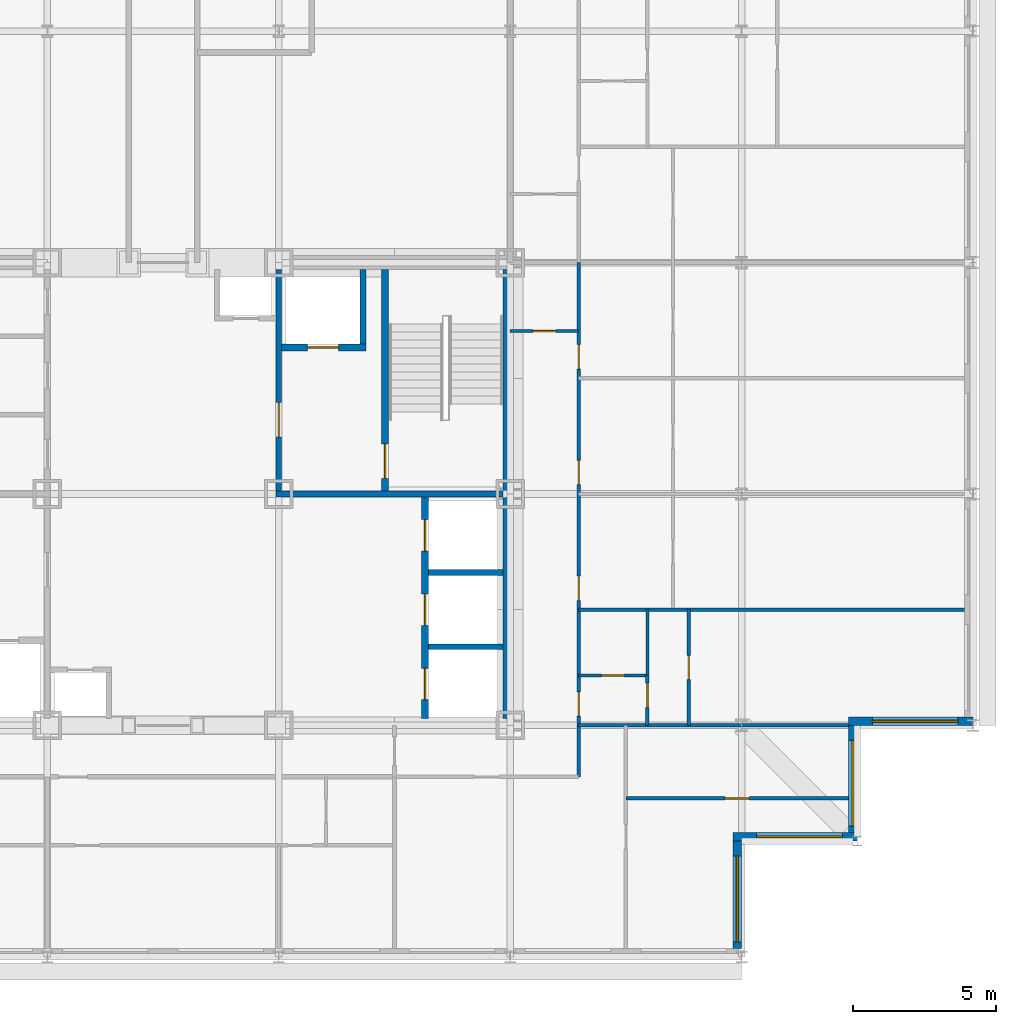
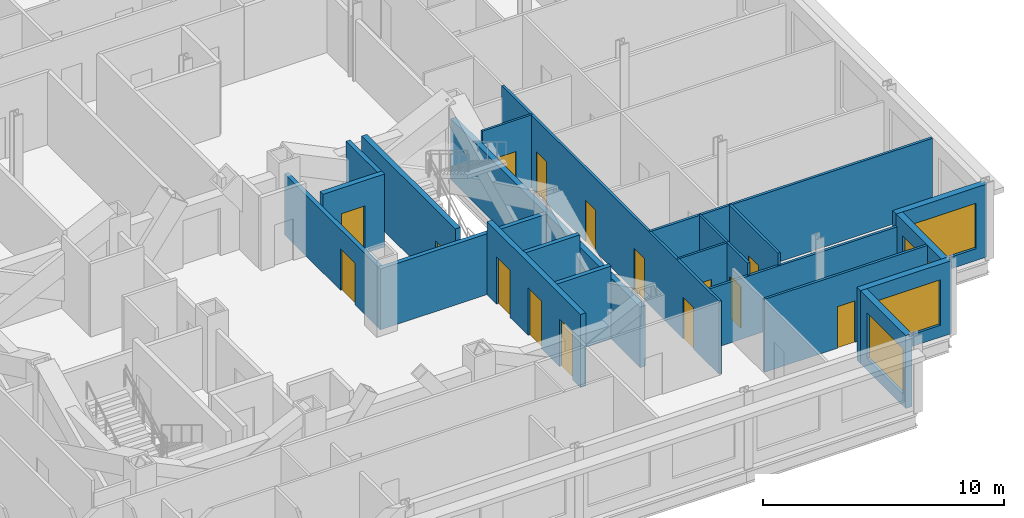
# One storey, part 10 of 15: 22 walls, 15 doors, 4 windows, 19 openings.
"""IFC4 building model written with IfcOpenShell, lengths in metres."""

from ifc_helpers import new_model, si_unit, direction, frame, frame_2d, origin, place, context, subcontext, project, spatial, rectangle, extrude, material, layer, layer_set, type_object, element, fill, save


model = new_model("IFC4")

# Units and contexts
model_context = context("Model", 3, precision=1e-05, world=origin(), true_north=direction((0.0, 1.0)))
body_context = subcontext(model_context, "Body", "Model", "MODEL_VIEW")
ifc_project = project(units=[si_unit("LENGTHUNIT", "METRE"), si_unit("AREAUNIT", "SQUARE_METRE"), si_unit("VOLUMEUNIT", "CUBIC_METRE"), si_unit("PLANEANGLEUNIT", "RADIAN"), si_unit("MASSUNIT", "GRAM", prefix="KILO")], contexts=[model_context])

# Site, building, storey
site_placement = place(None, origin())
site = spatial("IfcSite", under=ifc_project, at=site_placement, CompositionType="ELEMENT")
building_placement = place(site_placement, origin())
building = spatial("IfcBuilding", under=site, at=building_placement, Name="Kopane Lantern Tower", CompositionType="ELEMENT")
storey_placement = place(building_placement, frame((0.0, 0.0, 277.5)))
storey = spatial("IfcBuildingStorey", under=building, at=storey_placement, Name="L71", CompositionType="ELEMENT", Elevation=277.5)

# Wall, openings, doors
ifc_material_1 = material(Name="Gypsum board on steel studs", Category="steel")
ifc_layer_1 = layer(ifc_material_1, 0.1201171875)
ifc_layer_set_1 = layer_set([ifc_layer_1], Name="APARTMENT INTERNAL WALL 120")
wall_type_1 = type_object("IfcWallType", Name="APARTMENT INTERNAL WALL 120", PredefinedType="PARTITIONING", material=ifc_layer_set_1)
wall_1_placement = place(storey_placement, frame((42.89990234375, 22.5, 0.0), z_axis=(0.0, 0.0, 1.0), x_axis=(0.0, 1.0, 0.0)))
wall_1 = element("IfcWall", 1, at=wall_1_placement, inside=storey, type_object=wall_type_1, Name="Apartment Internal Wall 120 L71", PredefinedType="PARTITIONING", context=body_context, shape_type="SweptSolid", body=[
    extrude(rectangle(XDim=18.0, YDim=0.1201171875, at=frame_2d((9.0, 0.0))), origin(), (0.0, 0.0, 1.0), 3.68994140625),
])
opening_1_placement = place(wall_1_placement, frame((2.125, 0.0, 0.0)))
opening_1 = element("IfcOpeningElement", 2, at=opening_1_placement, cuts=wall_1, Name="Opening L71-050", PredefinedType="OPENING", context=body_context, shape_type="SweptSolid", body=[
    extrude(rectangle(XDim=0.85009765625, YDim=2.10009765625, at=frame_2d((0.425048828125, 1.050048828125))), frame((0.0, 0.070068359375, 0.0), z_axis=(0.0, -1.0, 0.0), x_axis=(1.0, 0.0, 0.0)), (0.0, 0.0, 1.0), 0.14013671875),
])
opening_2_placement = place(wall_1_placement, frame((6.175048828125, 0.0, 0.0)))
opening_2 = element("IfcOpeningElement", 3, at=opening_2_placement, cuts=wall_1, Name="Opening L71-051", PredefinedType="OPENING", context=body_context, shape_type="SweptSolid", body=[
    extrude(rectangle(XDim=0.85009765625, YDim=2.10009765625, at=frame_2d((0.425048828125, 1.050048828125))), frame((0.0, 0.070068359375, 0.0), z_axis=(0.0, -1.0, 0.0), x_axis=(1.0, 0.0, 0.0)), (0.0, 0.0, 1.0), 0.14013671875),
])
opening_3_placement = place(wall_1_placement, frame((10.22509765625, 0.0, 0.0)))
opening_3 = element("IfcOpeningElement", 4, at=opening_3_placement, cuts=wall_1, Name="Opening L71-052", PredefinedType="OPENING", context=body_context, shape_type="SweptSolid", body=[
    extrude(rectangle(XDim=0.85009765625, YDim=2.10009765625, at=frame_2d((0.425048828125, 1.050048828125))), frame((0.0, 0.070068359375, 0.0), z_axis=(0.0, -1.0, 0.0), x_axis=(1.0, 0.0, 0.0)), (0.0, 0.0, 1.0), 0.14013671875),
])
opening_4_placement = place(wall_1_placement, frame((14.27490234375, 0.0, 0.0)))
opening_4 = element("IfcOpeningElement", 5, at=opening_4_placement, cuts=wall_1, Name="Opening L71-053", PredefinedType="OPENING", context=body_context, shape_type="SweptSolid", body=[
    extrude(rectangle(XDim=0.85009765625, YDim=2.10009765625, at=frame_2d((0.425048828125, 1.050048828125))), frame((0.0, 0.070068359375, 0.0), z_axis=(0.0, -1.0, 0.0), x_axis=(1.0, 0.0, 0.0)), (0.0, 0.0, 1.0), 0.14013671875),
])
ifc_material_2 = material(Name="Timber door set", Category="wood")
door_type_1 = type_object("IfcDoorType", Name="DOOR D4 850x2100", OperationType="SINGLE_SWING_LEFT", PredefinedType="DOOR", material=ifc_material_2)
door_1_placement = place(opening_1_placement, origin())
door_1 = element("IfcDoor", 6, at=door_1_placement, inside=storey, type_object=door_type_1, Name="Door L71-050", OperationType="SINGLE_SWING_RIGHT", OverallHeight=2.10009765625, OverallWidth=0.85009765625, PredefinedType="DOOR", context=body_context, shape_type="SweptSolid", body=[
    extrude(rectangle(XDim=0.85009765625, YDim=2.10009765625, at=frame_2d((0.425048828125, 1.050048828125))), frame((0.0, 0.02490234375, 0.0), z_axis=(0.0, -1.0, 0.0), x_axis=(1.0, 0.0, 0.0)), (0.0, 0.0, 1.0), 0.050048828125),
])
fill(opening_1, door_1)
door_2_placement = place(opening_2_placement, origin())
door_2 = element("IfcDoor", 7, at=door_2_placement, inside=storey, type_object=door_type_1, Name="Door L71-051", OperationType="SINGLE_SWING_RIGHT", OverallHeight=2.10009765625, OverallWidth=0.85009765625, PredefinedType="DOOR", context=body_context, shape_type="SweptSolid", body=[
    extrude(rectangle(XDim=0.85009765625, YDim=2.10009765625, at=frame_2d((0.425048828125, 1.050048828125))), frame((0.0, 0.02490234375, 0.0), z_axis=(0.0, -1.0, 0.0), x_axis=(1.0, 0.0, 0.0)), (0.0, 0.0, 1.0), 0.050048828125),
])
fill(opening_2, door_2)
door_3_placement = place(opening_3_placement, origin())
door_3 = element("IfcDoor", 8, at=door_3_placement, inside=storey, type_object=door_type_1, Name="Door L71-052", OperationType="SINGLE_SWING_RIGHT", OverallHeight=2.10009765625, OverallWidth=0.85009765625, PredefinedType="DOOR", context=body_context, shape_type="SweptSolid", body=[
    extrude(rectangle(XDim=0.85009765625, YDim=2.10009765625, at=frame_2d((0.425048828125, 1.050048828125))), frame((0.0, 0.02490234375, 0.0), z_axis=(0.0, -1.0, 0.0), x_axis=(1.0, 0.0, 0.0)), (0.0, 0.0, 1.0), 0.050048828125),
])
fill(opening_3, door_3)
door_4_placement = place(opening_4_placement, origin())
door_4 = element("IfcDoor", 9, at=door_4_placement, inside=storey, type_object=door_type_1, Name="Door L71-053", OperationType="SINGLE_SWING_RIGHT", OverallHeight=2.10009765625, OverallWidth=0.85009765625, PredefinedType="DOOR", context=body_context, shape_type="SweptSolid", body=[
    extrude(rectangle(XDim=0.85009765625, YDim=2.10009765625, at=frame_2d((0.425048828125, 1.050048828125))), frame((0.0, 0.02490234375, 0.0), z_axis=(0.0, -1.0, 0.0), x_axis=(1.0, 0.0, 0.0)), (0.0, 0.0, 1.0), 0.050048828125),
])
fill(opening_4, door_4)

# Walls
wall_2_placement = place(storey_placement, frame((42.89990234375, 24.300048828125, 0.0), z_axis=(0.0, 0.0, 1.0), x_axis=(1.0, 0.0, 0.0)))
element("IfcWall", 10, at=wall_2_placement, inside=storey, type_object=wall_type_1, Name="Apartment Internal Wall 120 L71", PredefinedType="PARTITIONING", context=body_context, shape_type="SweptSolid", body=[
    extrude(rectangle(XDim=9.4501953125, YDim=0.1201171875, at=frame_2d((4.72509765625, 0.0))), origin(), (0.0, 0.0, 1.0), 3.077880859375),
])
wall_3_placement = place(storey_placement, frame((42.89990234375, 28.35009765625, 0.0), z_axis=(0.0, 0.0, 1.0), x_axis=(1.0, 0.0, 0.0)))
element("IfcWall", 11, at=wall_3_placement, inside=storey, type_object=wall_type_1, Name="Apartment Internal Wall 120 L71", PredefinedType="PARTITIONING", context=body_context, shape_type="SweptSolid", body=[
    extrude(rectangle(XDim=13.5, YDim=0.1201171875, at=frame_2d((6.75, 0.0))), origin(), (0.0, 0.0, 1.0), 3.68994140625),
])

# Wall, opening, door
wall_4_placement = place(storey_placement, frame((45.300048828125, 24.300048828125, 0.0), z_axis=(0.0, 0.0, 1.0), x_axis=(0.0, 1.0, 0.0)))
wall_4 = element("IfcWall", 12, at=wall_4_placement, inside=storey, type_object=wall_type_1, Name="Apartment Internal Wall 120 L71", PredefinedType="PARTITIONING", context=body_context, shape_type="SweptSolid", body=[
    extrude(rectangle(XDim=1.760009765625, YDim=0.1201171875, at=frame_2d((0.8798828125, 0.0))), origin(), (0.0, 0.0, 1.0), 3.68994140625),
])
opening_5_placement = place(wall_4_placement, frame((0.635009765625, 0.0, 0.0)))
opening_5 = element("IfcOpeningElement", 13, at=opening_5_placement, cuts=wall_4, Name="Opening L71-064", PredefinedType="OPENING", context=body_context, shape_type="SweptSolid", body=[
    extrude(rectangle(XDim=0.85009765625, YDim=2.10009765625, at=frame_2d((0.425048828125, 1.050048828125))), frame((0.0, 0.070068359375, 0.0), z_axis=(0.0, -1.0, 0.0), x_axis=(1.0, 0.0, 0.0)), (0.0, 0.0, 1.0), 0.14013671875),
])
door_5_placement = place(opening_5_placement, origin())
door_5 = element("IfcDoor", 14, at=door_5_placement, inside=storey, type_object=door_type_1, Name="Door L71-064", OperationType="SINGLE_SWING_RIGHT", OverallHeight=2.10009765625, OverallWidth=0.85009765625, PredefinedType="DOOR", context=body_context, shape_type="SweptSolid", body=[
    extrude(rectangle(XDim=0.85009765625, YDim=2.10009765625, at=frame_2d((0.425048828125, 1.050048828125))), frame((0.0, 0.02490234375, 0.0), z_axis=(0.0, -1.0, 0.0), x_axis=(1.0, 0.0, 0.0)), (0.0, 0.0, 1.0), 0.050048828125),
])
fill(opening_5, door_5)

wall_5_placement = place(storey_placement, frame((44.550048828125, 21.75, 0.0), z_axis=(0.0, 0.0, 1.0), x_axis=(1.0, 0.0, 0.0)))
wall_5 = element("IfcWall", 15, at=wall_5_placement, inside=storey, type_object=wall_type_1, Name="Apartment Internal Wall 120 L71", PredefinedType="PARTITIONING", context=body_context, shape_type="SweptSolid", body=[
    extrude(rectangle(XDim=7.800048828125, YDim=0.1201171875, at=frame_2d((3.89990234375, 0.0))), origin(), (0.0, 0.0, 1.0), 3.68994140625),
])
opening_6_placement = place(wall_5_placement, frame((3.47509765625, 0.0, 0.0)))
opening_6 = element("IfcOpeningElement", 16, at=opening_6_placement, cuts=wall_5, Name="Opening L71-067", PredefinedType="OPENING", context=body_context, shape_type="SweptSolid", body=[
    extrude(rectangle(XDim=0.85009765625, YDim=2.10009765625, at=frame_2d((0.425048828125, 1.050048828125))), frame((0.0, 0.070068359375, 0.0), z_axis=(0.0, -1.0, 0.0), x_axis=(1.0, 0.0, 0.0)), (0.0, 0.0, 1.0), 0.14013671875),
])
door_6_placement = place(opening_6_placement, origin())
door_6 = element("IfcDoor", 17, at=door_6_placement, inside=storey, type_object=door_type_1, Name="Door L71-067", OperationType="SINGLE_SWING_LEFT", OverallHeight=2.10009765625, OverallWidth=0.85009765625, PredefinedType="DOOR", context=body_context, shape_type="SweptSolid", body=[
    extrude(rectangle(XDim=0.85009765625, YDim=2.10009765625, at=frame_2d((0.425048828125, 1.050048828125))), frame((0.0, 0.02490234375, 0.0), z_axis=(0.0, -1.0, 0.0), x_axis=(1.0, 0.0, 0.0)), (0.0, 0.0, 1.0), 0.050048828125),
])
fill(opening_6, door_6)

wall_6_placement = place(storey_placement, frame((46.75, 24.300048828125, 0.0), z_axis=(0.0, 0.0, 1.0), x_axis=(0.0, 1.0, 0.0)))
wall_6 = element("IfcWall", 18, at=wall_6_placement, inside=storey, type_object=wall_type_1, Name="Apartment Internal Wall 120 L71", PredefinedType="PARTITIONING", context=body_context, shape_type="SweptSolid", body=[
    extrude(rectangle(XDim=4.050048828125, YDim=0.1201171875, at=frame_2d((2.02490234375, 0.0))), origin(), (0.0, 0.0, 1.0), 3.68994140625),
])
opening_7_placement = place(wall_6_placement, frame((1.60009765625, 0.0, 0.0)))
opening_7 = element("IfcOpeningElement", 19, at=opening_7_placement, cuts=wall_6, Name="Opening L71-068", PredefinedType="OPENING", context=body_context, shape_type="SweptSolid", body=[
    extrude(rectangle(XDim=0.85009765625, YDim=2.10009765625, at=frame_2d((0.425048828125, 1.050048828125))), frame((0.0, 0.070068359375, 0.0), z_axis=(0.0, -1.0, 0.0), x_axis=(1.0, 0.0, 0.0)), (0.0, 0.0, 1.0), 0.14013671875),
])
door_7_placement = place(opening_7_placement, origin())
door_7 = element("IfcDoor", 20, at=door_7_placement, inside=storey, type_object=door_type_1, Name="Door L71-068", OperationType="SINGLE_SWING_LEFT", OverallHeight=2.10009765625, OverallWidth=0.85009765625, PredefinedType="DOOR", context=body_context, shape_type="SweptSolid", body=[
    extrude(rectangle(XDim=0.85009765625, YDim=2.10009765625, at=frame_2d((0.425048828125, 1.050048828125))), frame((0.0, 0.02490234375, 0.0), z_axis=(0.0, -1.0, 0.0), x_axis=(1.0, 0.0, 0.0)), (0.0, 0.0, 1.0), 0.050048828125),
])
fill(opening_7, door_7)

ifc_material_3 = material(Name="Moisture-resistant board on steel studs", Category="steel")
ifc_layer_2 = layer(ifc_material_3, 0.10009765625)
ifc_layer_set_2 = layer_set([ifc_layer_2], Name="BATHROOM WALL 100")
wall_type_2 = type_object("IfcWallType", Name="BATHROOM WALL 100", PredefinedType="PARTITIONING", material=ifc_layer_set_2)
wall_7_placement = place(storey_placement, frame((40.5, 38.10009765625, 0.0), z_axis=(0.0, 0.0, 1.0), x_axis=(1.0, 0.0, 0.0)))
wall_7 = element("IfcWall", 21, at=wall_7_placement, inside=storey, type_object=wall_type_2, Name="Bathroom Wall 100 L71", PredefinedType="PARTITIONING", context=body_context, shape_type="SweptSolid", body=[
    extrude(rectangle(XDim=2.39990234375, YDim=0.10009765625, at=frame_2d((1.199951171875, 0.0))), origin(), (0.0, 0.0, 1.0), 3.68994140625),
])
opening_8_placement = place(wall_7_placement, frame((0.800048828125, 0.0, 0.0)))
opening_8 = element("IfcOpeningElement", 22, at=opening_8_placement, cuts=wall_7, Name="Opening L71-046", PredefinedType="OPENING", context=body_context, shape_type="SweptSolid", body=[
    extrude(rectangle(XDim=0.800048828125, YDim=2.10009765625, at=frame_2d((0.39990234375, 1.050048828125))), frame((0.0, 0.06005859375, 0.0), z_axis=(0.0, -1.0, 0.0), x_axis=(1.0, 0.0, 0.0)), (0.0, 0.0, 1.0), 0.1201171875),
])
ifc_material_4 = material(Name="Timber door set", Category="wood")
door_type_2 = type_object("IfcDoorType", Name="DOOR D2 800x2100", OperationType="SINGLE_SWING_LEFT", PredefinedType="DOOR", material=ifc_material_4)
door_8_placement = place(opening_8_placement, origin())
door_8 = element("IfcDoor", 23, at=door_8_placement, inside=storey, type_object=door_type_2, Name="Door L71-046", OperationType="SINGLE_SWING_LEFT", OverallHeight=2.10009765625, OverallWidth=0.800048828125, PredefinedType="DOOR", context=body_context, shape_type="SweptSolid", body=[
    extrude(rectangle(XDim=0.800048828125, YDim=2.10009765625, at=frame_2d((0.39990234375, 1.050048828125))), frame((0.0, 0.02490234375, 0.0), z_axis=(0.0, -1.0, 0.0), x_axis=(1.0, 0.0, 0.0)), (0.0, 0.0, 1.0), 0.050048828125),
])
fill(opening_8, door_8)

wall_8_placement = place(storey_placement, frame((42.89990234375, 26.050048828125, 0.0), z_axis=(0.0, 0.0, 1.0), x_axis=(1.0, 0.0, 0.0)))
wall_8 = element("IfcWall", 24, at=wall_8_placement, inside=storey, type_object=wall_type_2, Name="Bathroom Wall 100 L71", PredefinedType="PARTITIONING", context=body_context, shape_type="SweptSolid", body=[
    extrude(rectangle(XDim=2.400146484375, YDim=0.10009765625, at=frame_2d((1.2001953125, 0.0))), origin(), (0.0, 0.0, 1.0), 3.68994140625),
])
opening_9_placement = place(wall_8_placement, frame((0.800048828125, 0.0, 0.0)))
opening_9 = element("IfcOpeningElement", 25, at=opening_9_placement, cuts=wall_8, Name="Opening L71-049", PredefinedType="OPENING", context=body_context, shape_type="SweptSolid", body=[
    extrude(rectangle(XDim=0.800048828125, YDim=2.10009765625, at=frame_2d((0.39990234375, 1.050048828125))), frame((0.0, 0.06005859375, 0.0), z_axis=(0.0, -1.0, 0.0), x_axis=(1.0, 0.0, 0.0)), (0.0, 0.0, 1.0), 0.1201171875),
])
door_9_placement = place(opening_9_placement, origin())
door_9 = element("IfcDoor", 26, at=door_9_placement, inside=storey, type_object=door_type_2, Name="Door L71-049", OperationType="SINGLE_SWING_LEFT", OverallHeight=2.10009765625, OverallWidth=0.800048828125, PredefinedType="DOOR", context=body_context, shape_type="SweptSolid", body=[
    extrude(rectangle(XDim=0.800048828125, YDim=2.10009765625, at=frame_2d((0.39990234375, 1.050048828125))), frame((0.0, 0.02490234375, 0.0), z_axis=(0.0, -1.0, 0.0), x_axis=(1.0, 0.0, 0.0)), (0.0, 0.0, 1.0), 0.050048828125),
])
fill(opening_9, door_9)

# Walls
wall_9_placement = place(storey_placement, frame((45.300048828125, 26.050048828125, 0.0), z_axis=(0.0, 0.0, 1.0), x_axis=(0.0, 1.0, 0.0)))
element("IfcWall", 27, at=wall_9_placement, inside=storey, type_object=wall_type_2, Name="Bathroom Wall 100 L71", PredefinedType="PARTITIONING", context=body_context, shape_type="SweptSolid", body=[
    extrude(rectangle(XDim=2.300048828125, YDim=0.10009765625, at=frame_2d((1.14990234375, 0.0))), origin(), (0.0, 0.0, 1.0), 3.68994140625),
])
ifc_material_5 = material(Name="Gypsum shaft wall EI 120", Category="gypsum")
ifc_layer_3 = layer(ifc_material_5, 0.25)
ifc_layer_set_3 = layer_set([ifc_layer_3], Name="CORE SHAFT WALL 250 EI 120")
wall_type_3 = type_object("IfcWallType", Name="CORE SHAFT WALL 250 EI 120", PredefinedType="SOLIDWALL", material=ifc_layer_set_3)
wall_10_placement = place(storey_placement, frame((40.375, 24.550048828125, 0.0), z_axis=(0.0, 0.0, 1.0), x_axis=(0.0, 1.0, 0.0)))
element("IfcWall", 28, at=wall_10_placement, inside=storey, type_object=wall_type_3, Name="Core shaft wall L71 PE", PredefinedType="SOLIDWALL", context=body_context, shape_type="SweptSolid", body=[
    extrude(rectangle(XDim=15.699951171875, YDim=0.25, at=frame_2d((7.85009765625, 0.0))), origin(), (0.0, 0.0, 1.0), 3.077880859375),
])

# Wall, openings, doors
wall_11_placement = place(storey_placement, frame((37.52490234375, 24.550048828125, 0.0), z_axis=(0.0, 0.0, 1.0), x_axis=(0.0, 1.0, 0.0)))
wall_11 = element("IfcWall", 29, at=wall_11_placement, inside=storey, type_object=wall_type_3, Name="Core shaft wall L71 XLR", PredefinedType="SOLIDWALL", context=body_context, shape_type="SweptSolid", body=[
    extrude(rectangle(XDim=7.75, YDim=0.25, at=frame_2d((3.875, 0.0))), origin(), (0.0, 0.0, 1.0), 3.68994140625),
])
opening_10_placement = place(wall_11_placement, frame((0.64990234375, 0.0, 0.0)))
opening_10 = element("IfcOpeningElement", 30, at=opening_10_placement, cuts=wall_11, Name="Opening 71.LD-LR1", PredefinedType="OPENING", context=body_context, shape_type="SweptSolid", body=[
    extrude(rectangle(XDim=1.10009765625, YDim=2.39990234375, at=frame_2d((0.550048828125, 1.199951171875))), frame((0.0, 0.135009765625, 0.0), z_axis=(0.0, -1.0, 0.0), x_axis=(1.0, 0.0, 0.0)), (0.0, 0.0, 1.0), 0.27001953125),
])
opening_11_placement = place(wall_11_placement, frame((3.25, 0.0, 0.0)))
opening_11 = element("IfcOpeningElement", 31, at=opening_11_placement, cuts=wall_11, Name="Opening 71.LD-LR2", PredefinedType="OPENING", context=body_context, shape_type="SweptSolid", body=[
    extrude(rectangle(XDim=1.10009765625, YDim=2.39990234375, at=frame_2d((0.550048828125, 1.199951171875))), frame((0.0, 0.135009765625, 0.0), z_axis=(0.0, -1.0, 0.0), x_axis=(1.0, 0.0, 0.0)), (0.0, 0.0, 1.0), 0.27001953125),
])
opening_12_placement = place(wall_11_placement, frame((5.85009765625, 0.0, 0.0)))
opening_12 = element("IfcOpeningElement", 32, at=opening_12_placement, cuts=wall_11, Name="Opening 71.LD-LR3", PredefinedType="OPENING", context=body_context, shape_type="SweptSolid", body=[
    extrude(rectangle(XDim=1.10009765625, YDim=2.39990234375, at=frame_2d((0.550048828125, 1.199951171875))), frame((0.0, 0.135009765625, 0.0), z_axis=(0.0, -1.0, 0.0), x_axis=(1.0, 0.0, 0.0)), (0.0, 0.0, 1.0), 0.27001953125),
])
ifc_material_6 = material(Name="Steel door set", Category="steel")
door_type_3 = type_object("IfcDoorType", Name="LIFT LANDING DOOR 1100x2400 FD60", OperationType="DOUBLE_DOOR_SLIDING", PredefinedType="DOOR", material=ifc_material_6)
door_10_placement = place(opening_10_placement, origin())
door_10 = element("IfcDoor", 33, at=door_10_placement, inside=storey, type_object=door_type_3, Name="Landing door LR1 L71", OperationType="DOUBLE_DOOR_SLIDING", OverallHeight=2.39990234375, OverallWidth=1.10009765625, PredefinedType="DOOR", context=body_context, shape_type="SweptSolid", body=[
    extrude(rectangle(XDim=1.10009765625, YDim=2.39990234375, at=frame_2d((0.550048828125, 1.199951171875))), frame((0.0, 0.02490234375, 0.0), z_axis=(0.0, -1.0, 0.0), x_axis=(1.0, 0.0, 0.0)), (0.0, 0.0, 1.0), 0.050048828125),
])
fill(opening_10, door_10)
door_11_placement = place(opening_11_placement, origin())
door_11 = element("IfcDoor", 34, at=door_11_placement, inside=storey, type_object=door_type_3, Name="Landing door LR2 L71", OperationType="DOUBLE_DOOR_SLIDING", OverallHeight=2.39990234375, OverallWidth=1.10009765625, PredefinedType="DOOR", context=body_context, shape_type="SweptSolid", body=[
    extrude(rectangle(XDim=1.10009765625, YDim=2.39990234375, at=frame_2d((0.550048828125, 1.199951171875))), frame((0.0, 0.02490234375, 0.0), z_axis=(0.0, -1.0, 0.0), x_axis=(1.0, 0.0, 0.0)), (0.0, 0.0, 1.0), 0.050048828125),
])
fill(opening_11, door_11)
door_12_placement = place(opening_12_placement, origin())
door_12 = element("IfcDoor", 35, at=door_12_placement, inside=storey, type_object=door_type_3, Name="Landing door LR3 L71", OperationType="DOUBLE_DOOR_SLIDING", OverallHeight=2.39990234375, OverallWidth=1.10009765625, PredefinedType="DOOR", context=body_context, shape_type="SweptSolid", body=[
    extrude(rectangle(XDim=1.10009765625, YDim=2.39990234375, at=frame_2d((0.550048828125, 1.199951171875))), frame((0.0, 0.02490234375, 0.0), z_axis=(0.0, -1.0, 0.0), x_axis=(1.0, 0.0, 0.0)), (0.0, 0.0, 1.0), 0.050048828125),
])
fill(opening_12, door_12)

# Wall, opening, door
wall_12_placement = place(storey_placement, frame((36.125, 32.5, 0.0), z_axis=(0.0, 0.0, 1.0), x_axis=(0.0, 1.0, 0.0)))
wall_12 = element("IfcWall", 36, at=wall_12_placement, inside=storey, type_object=wall_type_3, Name="Core shaft wall L71 XST2", PredefinedType="SOLIDWALL", context=body_context, shape_type="SweptSolid", body=[
    extrude(rectangle(XDim=7.75, YDim=0.25, at=frame_2d((3.875, 0.0))), origin(), (0.0, 0.0, 1.0), 3.68994140625),
])
opening_13_placement = place(wall_12_placement, frame((0.449951171875, 0.0, 0.0)))
opening_13 = element("IfcOpeningElement", 37, at=opening_13_placement, cuts=wall_12, Name="Opening 71.SD2", PredefinedType="OPENING", context=body_context, shape_type="SweptSolid", body=[
    extrude(rectangle(XDim=1.199951171875, YDim=2.10009765625, at=frame_2d((0.60009765625, 1.050048828125))), frame((0.0, 0.135009765625, 0.0), z_axis=(0.0, -1.0, 0.0), x_axis=(1.0, 0.0, 0.0)), (0.0, 0.0, 1.0), 0.27001953125),
])
ifc_material_7 = material(Name="Steel door set", Category="steel")
door_type_4 = type_object("IfcDoorType", Name="STAIR DOOR 1200x2100 FD60S", OperationType="SINGLE_SWING_LEFT", PredefinedType="DOOR", material=ifc_material_7)
door_13_placement = place(opening_13_placement, origin())
door_13 = element("IfcDoor", 38, at=door_13_placement, inside=storey, type_object=door_type_4, Name="Stair door ST2 L71", OperationType="SINGLE_SWING_RIGHT", OverallHeight=2.10009765625, OverallWidth=1.199951171875, PredefinedType="DOOR", context=body_context, shape_type="SweptSolid", body=[
    extrude(rectangle(XDim=1.199951171875, YDim=2.10009765625, at=frame_2d((0.60009765625, 1.050048828125))), frame((0.0, 0.02490234375, 0.0), z_axis=(0.0, -1.0, 0.0), x_axis=(1.0, 0.0, 0.0)), (0.0, 0.0, 1.0), 0.050048828125),
])
fill(opening_13, door_13)

wall_13_placement = place(storey_placement, frame((32.5, 37.52490234375, 0.0), z_axis=(0.0, 0.0, 1.0), x_axis=(1.0, 0.0, 0.0)))
wall_13 = element("IfcWall", 39, at=wall_13_placement, inside=storey, type_object=wall_type_3, Name="Core shaft wall L71 YLF2", PredefinedType="SOLIDWALL", context=body_context, shape_type="SweptSolid", body=[
    extrude(rectangle(XDim=2.949951171875, YDim=0.25, at=frame_2d((1.47509765625, 0.0))), origin(), (0.0, 0.0, 1.0), 3.68994140625),
])
opening_14_placement = place(wall_13_placement, frame((0.89990234375, 0.0, 0.0)))
opening_14 = element("IfcOpeningElement", 40, at=opening_14_placement, cuts=wall_13, Name="Opening 71.LD-LF2", PredefinedType="OPENING", context=body_context, shape_type="SweptSolid", body=[
    extrude(rectangle(XDim=1.10009765625, YDim=2.39990234375, at=frame_2d((0.550048828125, 1.199951171875))), frame((0.0, 0.135009765625, 0.0), z_axis=(0.0, -1.0, 0.0), x_axis=(1.0, 0.0, 0.0)), (0.0, 0.0, 1.0), 0.27001953125),
])
door_14_placement = place(opening_14_placement, origin())
door_14 = element("IfcDoor", 41, at=door_14_placement, inside=storey, type_object=door_type_3, Name="Landing door LF2 L71", OperationType="DOUBLE_DOOR_SLIDING", OverallHeight=2.39990234375, OverallWidth=1.10009765625, PredefinedType="DOOR", context=body_context, shape_type="SweptSolid", body=[
    extrude(rectangle(XDim=1.10009765625, YDim=2.39990234375, at=frame_2d((0.550048828125, 1.199951171875))), frame((0.0, 0.02490234375, 0.0), z_axis=(0.0, -1.0, 0.0), x_axis=(1.0, 0.0, 0.0)), (0.0, 0.0, 1.0), 0.050048828125),
])
fill(opening_14, door_14)

# Wall, opening, window
ifc_material_8 = material(Name="Terracotta rainscreen on light steel framing", Category="masonry")
ifc_layer_4 = layer(ifc_material_8, 0.300048828125)
ifc_layer_set_4 = layer_set([ifc_layer_4], Name="EXTERNAL WALL EW1 300 TERRACOTTA")
wall_type_4 = type_object("IfcWallType", Name="EXTERNAL WALL EW1 300 TERRACOTTA", PredefinedType="SOLIDWALL", material=ifc_layer_set_4)
wall_14_placement = place(storey_placement, frame((48.449951171875, 16.5, 0.0), z_axis=(0.0, 0.0, 1.0), x_axis=(0.0, 1.0, 0.0)))
wall_14 = element("IfcWall", 42, at=wall_14_placement, inside=storey, type_object=wall_type_4, Name="External wall E L71", PredefinedType="SOLIDWALL", context=body_context, shape_type="SweptSolid", body=[
    extrude(rectangle(XDim=3.75, YDim=0.300048828125, at=frame_2d((1.875, 0.0))), origin(), (0.0, 0.0, 1.0), 3.68994140625),
])
opening_15_placement = place(wall_14_placement, frame((0.22509765625, 0.0, 0.60009765625)))
opening_15 = element("IfcOpeningElement", 43, at=opening_15_placement, cuts=wall_14, Name="Opening WR300230", PredefinedType="OPENING", context=body_context, shape_type="SweptSolid", body=[
    extrude(rectangle(XDim=3.0, YDim=2.300048828125, at=frame_2d((1.5, 1.14990234375))), frame((0.0, 0.159912109375, 0.0), z_axis=(0.0, -1.0, 0.0), x_axis=(1.0, 0.0, 0.0)), (0.0, 0.0, 1.0), 0.320068359375),
])
ifc_material_9 = material(Name="Aluminium and clear glass", Category="aluminium")
window_type = type_object("IfcWindowType", Name="RIBBON WINDOW WR300230 3000x2300", PartitioningType="SINGLE_PANEL", PredefinedType="WINDOW", material=ifc_material_9)
window_1_placement = place(opening_15_placement, origin())
window_1 = element("IfcWindow", 44, at=window_1_placement, inside=storey, type_object=window_type, Name="Window E L71", OverallHeight=2.300048828125, OverallWidth=3.0, PartitioningType="SINGLE_PANEL", PredefinedType="WINDOW", context=body_context, shape_type="SweptSolid", body=[
    extrude(rectangle(XDim=3.0, YDim=2.300048828125, at=frame_2d((1.5, 1.14990234375))), frame((0.0, 0.030029296875, 0.0), z_axis=(0.0, -1.0, 0.0), x_axis=(1.0, 0.0, 0.0)), (0.0, 0.0, 1.0), 0.06005859375),
])
fill(opening_15, window_1)

wall_15_placement = place(storey_placement, frame((48.300048828125, 20.39990234375, 0.0), z_axis=(0.0, 0.0, 1.0), x_axis=(1.0, 0.0, 0.0)))
wall_15 = element("IfcWall", 45, at=wall_15_placement, inside=storey, type_object=wall_type_4, Name="External wall S L71", PredefinedType="SOLIDWALL", context=body_context, shape_type="SweptSolid", body=[
    extrude(rectangle(XDim=4.349853515625, YDim=0.300048828125, at=frame_2d((2.1748046875, 0.0))), origin(), (0.0, 0.0, 1.0), 3.68994140625),
])
opening_16_placement = place(wall_15_placement, frame((0.824951171875, 0.0, 0.60009765625)))
opening_16 = element("IfcOpeningElement", 46, at=opening_16_placement, cuts=wall_15, Name="Opening WR300230", PredefinedType="OPENING", context=body_context, shape_type="SweptSolid", body=[
    extrude(rectangle(XDim=3.0, YDim=2.300048828125, at=frame_2d((1.5, 1.14990234375))), frame((0.0, 0.159912109375, 0.0), z_axis=(0.0, -1.0, 0.0), x_axis=(1.0, 0.0, 0.0)), (0.0, 0.0, 1.0), 0.320068359375),
])
window_2_placement = place(opening_16_placement, origin())
window_2 = element("IfcWindow", 47, at=window_2_placement, inside=storey, type_object=window_type, Name="Window S L71", OverallHeight=2.300048828125, OverallWidth=3.0, PartitioningType="SINGLE_PANEL", PredefinedType="WINDOW", context=body_context, shape_type="SweptSolid", body=[
    extrude(rectangle(XDim=3.0, YDim=2.300048828125, at=frame_2d((1.5, 1.14990234375))), frame((0.0, 0.030029296875, 0.0), z_axis=(0.0, -1.0, 0.0), x_axis=(1.0, 0.0, 0.0)), (0.0, 0.0, 1.0), 0.06005859375),
])
fill(opening_16, window_2)

wall_16_placement = place(storey_placement, frame((52.5, 20.550048828125, 0.0), z_axis=(0.0, 0.0, 1.0), x_axis=(0.0, 1.0, 0.0)))
wall_16 = element("IfcWall", 48, at=wall_16_placement, inside=storey, type_object=wall_type_4, Name="External wall E L71", PredefinedType="SOLIDWALL", context=body_context, shape_type="SweptSolid", body=[
    extrude(rectangle(XDim=3.75, YDim=0.300048828125, at=frame_2d((1.875, 0.0))), origin(), (0.0, 0.0, 1.0), 3.68994140625),
])
opening_17_placement = place(wall_16_placement, frame((0.22509765625, 0.0, 0.60009765625)))
opening_17 = element("IfcOpeningElement", 49, at=opening_17_placement, cuts=wall_16, Name="Opening WR300230", PredefinedType="OPENING", context=body_context, shape_type="SweptSolid", body=[
    extrude(rectangle(XDim=3.0, YDim=2.300048828125, at=frame_2d((1.5, 1.14990234375))), frame((0.0, 0.159912109375, 0.0), z_axis=(0.0, -1.0, 0.0), x_axis=(1.0, 0.0, 0.0)), (0.0, 0.0, 1.0), 0.320068359375),
])
window_3_placement = place(opening_17_placement, origin())
window_3 = element("IfcWindow", 50, at=window_3_placement, inside=storey, type_object=window_type, Name="Window E L71", OverallHeight=2.300048828125, OverallWidth=3.0, PartitioningType="SINGLE_PANEL", PredefinedType="WINDOW", context=body_context, shape_type="SweptSolid", body=[
    extrude(rectangle(XDim=3.0, YDim=2.300048828125, at=frame_2d((1.5, 1.14990234375))), frame((0.0, 0.030029296875, 0.0), z_axis=(0.0, -1.0, 0.0), x_axis=(1.0, 0.0, 0.0)), (0.0, 0.0, 1.0), 0.06005859375),
])
fill(opening_17, window_3)

wall_17_placement = place(storey_placement, frame((52.35009765625, 24.449951171875, 0.0), z_axis=(0.0, 0.0, 1.0), x_axis=(1.0, 0.0, 0.0)))
wall_17 = element("IfcWall", 51, at=wall_17_placement, inside=storey, type_object=wall_type_4, Name="External wall S L71", PredefinedType="SOLIDWALL", context=body_context, shape_type="SweptSolid", body=[
    extrude(rectangle(XDim=4.349853515625, YDim=0.300048828125, at=frame_2d((2.1748046875, 0.0))), origin(), (0.0, 0.0, 1.0), 3.68994140625),
])
opening_18_placement = place(wall_17_placement, frame((0.824951171875, 0.0, 0.60009765625)))
opening_18 = element("IfcOpeningElement", 52, at=opening_18_placement, cuts=wall_17, Name="Opening WR300230", PredefinedType="OPENING", context=body_context, shape_type="SweptSolid", body=[
    extrude(rectangle(XDim=3.0, YDim=2.300048828125, at=frame_2d((1.5, 1.14990234375))), frame((0.0, 0.159912109375, 0.0), z_axis=(0.0, -1.0, 0.0), x_axis=(1.0, 0.0, 0.0)), (0.0, 0.0, 1.0), 0.320068359375),
])
window_4_placement = place(opening_18_placement, origin())
window_4 = element("IfcWindow", 53, at=window_4_placement, inside=storey, type_object=window_type, Name="Window S L71", OverallHeight=2.300048828125, OverallWidth=3.0, PartitioningType="SINGLE_PANEL", PredefinedType="WINDOW", context=body_context, shape_type="SweptSolid", body=[
    extrude(rectangle(XDim=3.0, YDim=2.300048828125, at=frame_2d((1.5, 1.14990234375))), frame((0.0, 0.030029296875, 0.0), z_axis=(0.0, -1.0, 0.0), x_axis=(1.0, 0.0, 0.0)), (0.0, 0.0, 1.0), 0.06005859375),
])
fill(opening_18, window_4)

# Wall
ifc_material_10 = material(Name="Gypsum shaft wall EI 120", Category="gypsum")
ifc_layer_5 = layer(ifc_material_10, 0.199951171875)
ifc_layer_set_5 = layer_set([ifc_layer_5], Name="SHAFT WALL 200 EI 120")
wall_type_5 = type_object("IfcWallType", Name="SHAFT WALL 200 EI 120", PredefinedType="SOLIDWALL", material=ifc_layer_set_5)
wall_18_placement = place(storey_placement, frame((32.300048828125, 32.39990234375, 0.0), z_axis=(0.0, 0.0, 1.0), x_axis=(1.0, 0.0, 0.0)))
element("IfcWall", 54, at=wall_18_placement, inside=storey, type_object=wall_type_5, Name="Core shaft wall L71 Y324E", PredefinedType="SOLIDWALL", context=body_context, shape_type="SweptSolid", body=[
    extrude(rectangle(XDim=7.949951171875, YDim=0.199951171875, at=frame_2d((3.97509765625, 0.0))), origin(), (0.0, 0.0, 1.0), 3.077880859375),
])

# Wall, opening, door
wall_19_placement = place(storey_placement, frame((32.39990234375, 32.5, 0.0), z_axis=(0.0, 0.0, 1.0), x_axis=(0.0, 1.0, 0.0)))
wall_19 = element("IfcWall", 55, at=wall_19_placement, inside=storey, type_object=wall_type_5, Name="Core shaft wall L71 X324", PredefinedType="SOLIDWALL", context=body_context, shape_type="SweptSolid", body=[
    extrude(rectangle(XDim=7.75, YDim=0.199951171875, at=frame_2d((3.875, 0.0))), origin(), (0.0, 0.0, 1.0), 3.077880859375),
])
opening_19_placement = place(wall_19_placement, frame((1.89990234375, 0.0, 0.0)))
opening_19 = element("IfcOpeningElement", 56, at=opening_19_placement, cuts=wall_19, Name="Opening 71.FL2", PredefinedType="OPENING", context=body_context, shape_type="SweptSolid", body=[
    extrude(rectangle(XDim=1.199951171875, YDim=2.10009765625, at=frame_2d((0.60009765625, 1.050048828125))), frame((0.0, 0.10986328125, 0.0), z_axis=(0.0, -1.0, 0.0), x_axis=(1.0, 0.0, 0.0)), (0.0, 0.0, 1.0), 0.219970703125),
])
ifc_material_11 = material(Name="Steel door set", Category="steel")
door_type_5 = type_object("IfcDoorType", Name="FIREFIGHTING LOBBY DOOR 1200x2100 FD60S", OperationType="SINGLE_SWING_RIGHT", PredefinedType="DOOR", material=ifc_material_11)
door_15_placement = place(opening_19_placement, origin())
door_15 = element("IfcDoor", 57, at=door_15_placement, inside=storey, type_object=door_type_5, Name="Firefighting lobby door FL2 L71", OperationType="SINGLE_SWING_LEFT", OverallHeight=2.10009765625, OverallWidth=1.199951171875, PredefinedType="DOOR", context=body_context, shape_type="SweptSolid", body=[
    extrude(rectangle(XDim=1.199951171875, YDim=2.10009765625, at=frame_2d((0.60009765625, 1.050048828125))), frame((0.0, 0.02490234375, 0.0), z_axis=(0.0, -1.0, 0.0), x_axis=(1.0, 0.0, 0.0)), (0.0, 0.0, 1.0), 0.050048828125),
])
fill(opening_19, door_15)

# Walls
for number, where, z_axis, x_axis, name in (
    (58, (37.64990234375, 27.050048828125, 0.0), (0.0, 0.0, 1.0), (1.0, 0.0, 0.0), "Core shaft wall L71 YLR12"),
    (59, (37.64990234375, 29.64990234375, 0.0), (0.0, 0.0, 1.0), (1.0, 0.0, 0.0), "Core shaft wall L71 YLR23"),
    (60, (35.35009765625, 37.64990234375, 0.0), (0.0, 0.0, 1.0), (0.0, 1.0, 0.0), "Core shaft wall L71 XLF2"),
):
    element("IfcWall", number, at=place(storey_placement, frame(where, z_axis=z_axis, x_axis=x_axis)), inside=storey, type_object=wall_type_5, Name=name, PredefinedType="SOLIDWALL", context=body_context, shape_type="SweptSolid", body=[
        extrude(rectangle(XDim=2.60009765625, YDim=0.199951171875, at=frame_2d((1.300048828125, 0.0))), origin(), (0.0, 0.0, 1.0), 3.68994140625),
    ])

save(model, "model.ifc")
